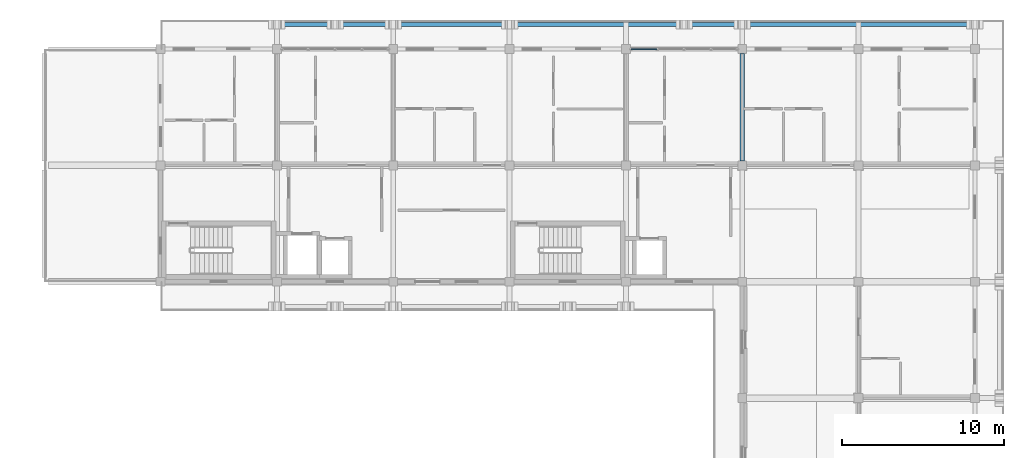
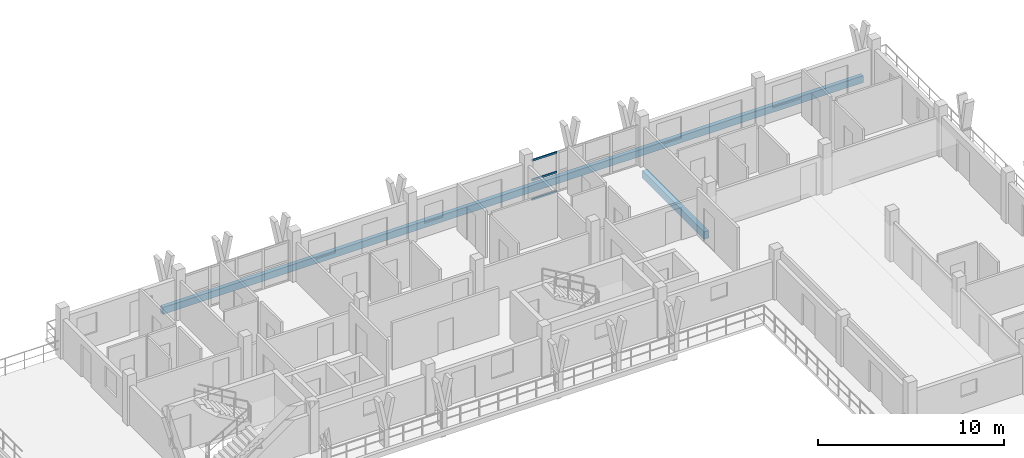
# One storey, part 26 of 60: 3 members, 2 beams, 1 element without a shape of its own.
"""IFC4 building model written with IfcOpenShell, lengths in metres."""

from ifc_helpers import new_model, si_unit, direction, frame, origin, origin_2d, place, context, subcontext, project, spatial, rectangle, hollow_rectangle, extrude, material, material_profile, profile_set, type_object, element, aggregate, save


model = new_model("IFC4")

# Units and contexts
model_context = context("Model", 3, precision=1e-05, world=origin(), true_north=direction((0.0, 1.0)))
body_context = subcontext(model_context, "Body", "Model", "MODEL_VIEW")
ifc_project = project(units=[si_unit("LENGTHUNIT", "METRE"), si_unit("AREAUNIT", "SQUARE_METRE"), si_unit("VOLUMEUNIT", "CUBIC_METRE"), si_unit("PLANEANGLEUNIT", "RADIAN"), si_unit("MASSUNIT", "GRAM", prefix="KILO")], contexts=[model_context])

# Site, building, storey
site_placement = place(None, origin())
site = spatial("IfcSite", under=ifc_project, at=site_placement, CompositionType="ELEMENT")
building_placement = place(site_placement, origin())
building = spatial("IfcBuilding", under=site, at=building_placement, Name="Suanplinth Sawtooth Commons", CompositionType="ELEMENT")
storey_placement = place(building_placement, frame((0.0, 0.0, 31.5)))
storey = spatial("IfcBuildingStorey", under=building, at=storey_placement, Name="L09", CompositionType="ELEMENT", Elevation=31.5)

# Beams
ifc_material_1 = material(Name="Precast concrete C40/50", Category="concrete")
ifc_material_profile_1 = material_profile(ifc_material_1, rectangle(XDim=0.300048828125, YDim=0.5, at=origin_2d()), Name="PC-BM 300x500")
ifc_profile_set_1 = profile_set([ifc_material_profile_1], Name="Precast concrete C40/50")
beam_type_1 = type_object("IfcBeamType", Name="B-07", PredefinedType="BEAM", material=ifc_profile_set_1)
beam_1_placement = place(storey_placement, frame((172.800048828125, 115.47509765625, -0.5), z_axis=(0.0, 1.0, 0.0), x_axis=(-1.0, 0.0, 0.0)))
element("IfcBeam", 1, at=beam_1_placement, inside=storey, type_object=beam_type_1, Name="BMY-L09-B-24-16", PredefinedType="BEAM", context=body_context, shape_type="SweptSolid", body=[
    extrude(rectangle(XDim=0.300048828125, YDim=0.5, at=origin_2d()), origin(), (0.0, 0.0, 1.0), 6.64990234375),
])
ifc_material_profile_2 = material_profile(ifc_material_1, rectangle(XDim=0.25, YDim=0.449951171875, at=origin_2d()), Name="PC-SP 250x450")
ifc_profile_set_2 = profile_set([ifc_material_profile_2], Name="Precast concrete C40/50")
beam_type_2 = type_object("IfcBeamType", Name="B-09", PredefinedType="SPANDREL", material=ifc_profile_set_2)
beam_2_placement = place(storey_placement, frame((143.85009765625, 123.919921875, -0.405029296875), z_axis=(1.0, 0.0, 0.0), x_axis=(0.0, 1.0, 0.0)))
element("IfcBeam", 2, at=beam_2_placement, inside=storey, type_object=beam_type_2, Name="Balcony Edge Fascia L09-B-N", PredefinedType="SPANDREL", context=body_context, shape_type="SweptSolid", body=[
    extrude(rectangle(XDim=0.25, YDim=0.449951171875, at=origin_2d()), origin(), (0.0, 0.0, 1.0), 43.5),
])

# Curtain wall, members
ifc_material_2 = material(Name="Anodized aluminium and low-E glazing", Category="aluminium")
curtain_wall_type = type_object("IfcCurtainWallType", Name="CW-06", PredefinedType="USERDEFINED", material=ifc_material_2)
curtain_wall_placement = place(storey_placement, origin())
curtain_wall = element("IfcCurtainWall", 3, at=curtain_wall_placement, inside=storey, type_object=curtain_wall_type, Name="Curtain Wall CW-L09-B-LOUNGE-23", ObjectType="CURTAIN WALL", PredefinedType="USERDEFINED")
ifc_material_3 = material(Name="Anodized aluminium 6063-T6", Category="aluminium")
ifc_material_profile_3 = material_profile(ifc_material_3, hollow_rectangle(XDim=0.06494140625, YDim=0.1201171875, WallThickness=0.00390625, at=origin_2d()), Name="ALU-TRN 65x120")
ifc_profile_set_3 = profile_set([ifc_material_profile_3], Name="Anodized aluminium 6063-T6")
member_type = type_object("IfcMemberType", Name="M-15", PredefinedType="USERDEFINED", material=ifc_profile_set_3)
member_1_placement = place(storey_placement, frame((165.93994140625, 122.39990234375, 0.032470703125), z_axis=(1.0, 0.0, 0.0), x_axis=(0.0, 1.0, 0.0)))
member_1 = element("IfcMember", 4, at=member_1_placement, type_object=member_type, Name="CW-06 transom 1.1", ObjectType="TRANSOM", PredefinedType="USERDEFINED", context=body_context, shape_type="SweptSolid", body=[
    extrude(hollow_rectangle(XDim=0.06494140625, YDim=0.1201171875, WallThickness=0.00390625, at=origin_2d()), origin(), (0.0, 0.0, 1.0), 1.56494140625),
])
member_2_placement = place(storey_placement, frame((165.93994140625, 122.39990234375, 1.31494140625), z_axis=(1.0, 0.0, 0.0), x_axis=(0.0, 1.0, 0.0)))
member_2 = element("IfcMember", 5, at=member_2_placement, type_object=member_type, Name="CW-06 transom 1.2", ObjectType="TRANSOM", PredefinedType="USERDEFINED", context=body_context, shape_type="SweptSolid", body=[
    extrude(hollow_rectangle(XDim=0.06494140625, YDim=0.1201171875, WallThickness=0.00390625, at=origin_2d()), origin(), (0.0, 0.0, 1.0), 1.56494140625),
])
member_3_placement = place(storey_placement, frame((165.93994140625, 122.39990234375, 2.597412109375), z_axis=(1.0, 0.0, 0.0), x_axis=(0.0, 1.0, 0.0)))
member_3 = element("IfcMember", 6, at=member_3_placement, type_object=member_type, Name="CW-06 transom 1.3", ObjectType="TRANSOM", PredefinedType="USERDEFINED", context=body_context, shape_type="SweptSolid", body=[
    extrude(hollow_rectangle(XDim=0.06494140625, YDim=0.1201171875, WallThickness=0.00390625, at=origin_2d()), origin(), (0.0, 0.0, 1.0), 1.56494140625),
])
aggregate(curtain_wall, [member_1, member_2, member_3])

save(model, "model.ifc")
